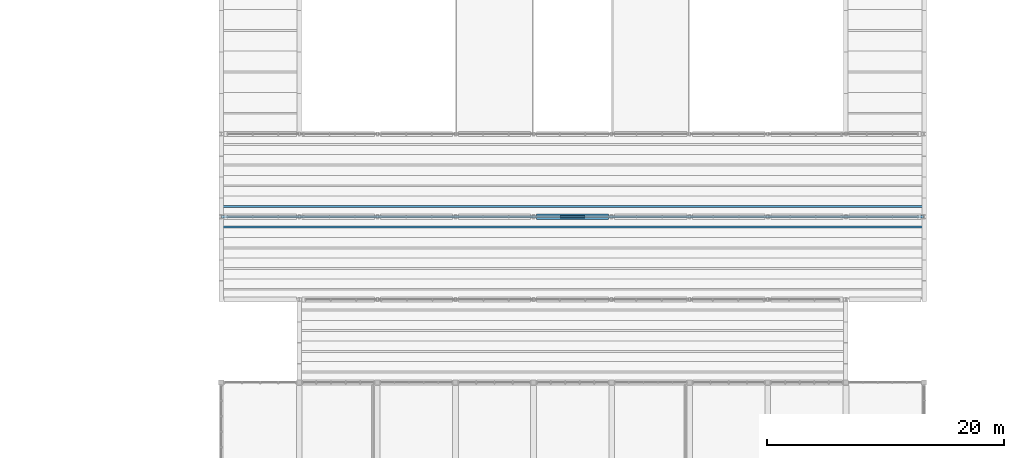
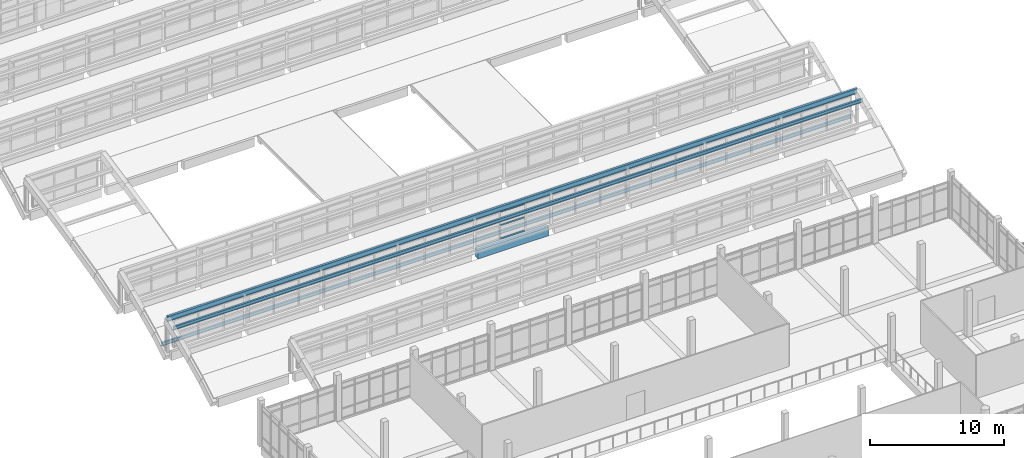
# One storey, part 26 of 92: 6 members, 1 beam, 1 element without a shape of its own.
"""IFC4 building model written with IfcOpenShell, lengths in metres."""

from ifc_helpers import new_model, si_unit, direction, frame, origin, origin_2d, place, context, subcontext, project, spatial, rectangle, i_section, extrude, material, material_profile, profile_set, type_object, element, aggregate, save


model = new_model("IFC4")

# Units and contexts
model_context = context("Model", 3, precision=1e-05, world=origin(), true_north=direction((0.0, 1.0)))
body_context = subcontext(model_context, "Body", "Model", "MODEL_VIEW")
ifc_project = project(units=[si_unit("LENGTHUNIT", "METRE"), si_unit("AREAUNIT", "SQUARE_METRE"), si_unit("VOLUMEUNIT", "CUBIC_METRE"), si_unit("PLANEANGLEUNIT", "RADIAN"), si_unit("MASSUNIT", "GRAM", prefix="KILO")], contexts=[model_context])

# Site, building, storey
site_placement = place(None, origin())
site = spatial("IfcSite", under=ifc_project, at=site_placement, CompositionType="ELEMENT")
building_placement = place(site_placement, origin())
building = spatial("IfcBuilding", under=site, at=building_placement, Name="Ciguamira Faculty of Natural Sciences", CompositionType="ELEMENT")
storey_placement = place(building_placement, frame((0.0, 0.0, 16.800048828125)))
storey = spatial("IfcBuildingStorey", under=building, at=storey_placement, Name="L04", CompositionType="ELEMENT", Elevation=16.800048828125)

# Curtain wall, members
ifc_material_1 = material(Name="Anodized aluminium curtain wall", Category="aluminium")
curtain_wall_type = type_object("IfcCurtainWallType", Name="CurtainWall_CW-03", PredefinedType="USERDEFINED", material=ifc_material_1)
curtain_wall_placement = place(storey_placement, origin())
curtain_wall = element("IfcCurtainWall", 1, at=curtain_wall_placement, inside=storey, type_object=curtain_wall_type, Name="V4 north-light wave 2 clerestory glazing 1", ObjectType="UNITISED CURTAIN WALL", PredefinedType="USERDEFINED")
ifc_material_2 = material(Name="Anodized aluminium transom", Category="aluminium")
ifc_material_profile_1 = material_profile(ifc_material_2, rectangle(XDim=0.070068359375, YDim=0.139892578125, at=origin_2d()), Name="ALU-TRN-70X140")
ifc_profile_set_1 = profile_set([ifc_material_profile_1], Name="Anodized aluminium transom")
member_type_1 = type_object("IfcMemberType", Name="CWTransom_CWT-02", PredefinedType="USERDEFINED", material=ifc_profile_set_1)
member_1_placement = place(storey_placement, frame((85.95361328125, 52.0, 0.284912109375), z_axis=(1.0, 0.0, 0.0), x_axis=(0.0, 0.0, 1.0)))
member_1 = element("IfcMember", 2, at=member_1_placement, type_object=member_type_1, Name="CW-03 transom 14.1", ObjectType="TRANSOM", PredefinedType="USERDEFINED", context=body_context, shape_type="SweptSolid", body=[
    extrude(rectangle(XDim=0.070068359375, YDim=0.139892578125, at=origin_2d()), origin(), (0.0, 0.0, 1.0), 2.0927734375),
])
member_2_placement = place(storey_placement, frame((85.95361328125, 52.0, 1.5), z_axis=(1.0, 0.0, 0.0), x_axis=(0.0, 0.0, 1.0)))
member_2 = element("IfcMember", 3, at=member_2_placement, type_object=member_type_1, Name="CW-03 transom 14.2", ObjectType="TRANSOM", PredefinedType="USERDEFINED", context=body_context, shape_type="SweptSolid", body=[
    extrude(rectangle(XDim=0.070068359375, YDim=0.139892578125, at=origin_2d()), origin(), (0.0, 0.0, 1.0), 2.0927734375),
])
member_3_placement = place(storey_placement, frame((85.95361328125, 52.0, 2.71484375), z_axis=(1.0, 0.0, 0.0), x_axis=(0.0, 0.0, 1.0)))
member_3 = element("IfcMember", 4, at=member_3_placement, type_object=member_type_1, Name="CW-03 transom 14.3", ObjectType="TRANSOM", PredefinedType="USERDEFINED", context=body_context, shape_type="SweptSolid", body=[
    extrude(rectangle(XDim=0.070068359375, YDim=0.139892578125, at=origin_2d()), origin(), (0.0, 0.0, 1.0), 2.0927734375),
])
aggregate(curtain_wall, [member_1, member_2, member_3])

# Beam
ifc_material_3 = material(Name="Concrete C40/50", Category="concrete")
ifc_material_profile_2 = material_profile(ifc_material_3, rectangle(XDim=0.43994140625, YDim=0.780029296875, at=origin_2d()), Name="RC-BM-440X780")
ifc_profile_set_2 = profile_set([ifc_material_profile_2], Name="Concrete C40/50")
beam_type = type_object("IfcBeamType", Name="RCBeam_BG-06_RC-BM-440X780", PredefinedType="BEAM", material=ifc_profile_set_2)
beam_placement = place(storey_placement, frame((83.949951171875, 52.0, -0.39013671875), z_axis=(1.0, 0.0, 0.0), x_axis=(0.0, 1.0, 0.0)))
element("IfcBeam", 5, at=beam_placement, inside=storey, type_object=beam_type, Name="V4 north-light wave 2 RC valley beam NVL-1-5", PredefinedType="BEAM", context=body_context, shape_type="SweptSolid", body=[
    extrude(rectangle(XDim=0.43994140625, YDim=0.780029296875, at=origin_2d()), origin(), (0.0, 0.0, 1.0), 6.10009765625),
])

# Members
ifc_material_4 = material(Name="Steel ASTM A992 Grade 50", Category="steel")
ifc_material_profile_3 = material_profile(ifc_material_4, i_section(OverallWidth=0.164794921875, OverallDepth=0.309814453125, WebThickness=0.005859375, FlangeThickness=0.009765625, at=origin_2d()), Name="W12X26")
ifc_profile_set_3 = profile_set([ifc_material_profile_3], Name="Steel ASTM A992 Grade 50")
member_type_2 = type_object("IfcMemberType", Name="SteelMember_PR-02_W12X26", PredefinedType="PURLIN", material=ifc_profile_set_3)
for number, where, z_axis, x_axis, name in (
    (6, (57.300048828125, 51.125, 2.65625), (1.0, 0.0, 0.0), (0.0, 1.0, 0.0), "V4 wave roof steel purlin 2-1-4"),
    (7, (57.300048828125, 52.875, 0.148193359375), (1.0, 0.0, 0.0), (0.0, 1.0, 0.0), "V4 wave roof steel purlin 3-1-1"),
):
    element("IfcMember", number, at=place(storey_placement, frame(where, z_axis=z_axis, x_axis=x_axis)), inside=storey, type_object=member_type_2, Name=name, PredefinedType="PURLIN", context=body_context, shape_type="SweptSolid", body=[
        extrude(i_section(OverallWidth=0.164794921875, OverallDepth=0.309814453125, WebThickness=0.005859375, FlangeThickness=0.009765625, at=origin_2d()), origin(), (0.0, 0.0, 1.0), 59.39990234375),
    ])
ifc_material_profile_4 = material_profile(ifc_material_4, i_section(OverallWidth=0.19287109375, OverallDepth=0.46728515625, WebThickness=0.011474609375, FlangeThickness=0.01904296875, at=origin_2d()), Name="W18X65")
ifc_profile_set_4 = profile_set([ifc_material_profile_4], Name="Steel ASTM A992 Grade 50")
member_type_3 = type_object("IfcMemberType", Name="SteelMember_TC-01_W18X65", PredefinedType="CHORD", material=ifc_profile_set_4)
member_4_placement = place(storey_placement, frame((57.300048828125, 52.0, 2.986328125), z_axis=(1.0, 0.0, 0.0), x_axis=(0.0, 1.0, 0.0)))
element("IfcMember", 8, at=member_4_placement, inside=storey, type_object=member_type_3, Name="V4 north-light wave 2 crest chord 1", PredefinedType="CHORD", context=body_context, shape_type="SweptSolid", body=[
    extrude(i_section(OverallWidth=0.19287109375, OverallDepth=0.46728515625, WebThickness=0.011474609375, FlangeThickness=0.01904296875, at=origin_2d()), origin(), (0.0, 0.0, 1.0), 59.39990234375),
])

save(model, "model.ifc")
